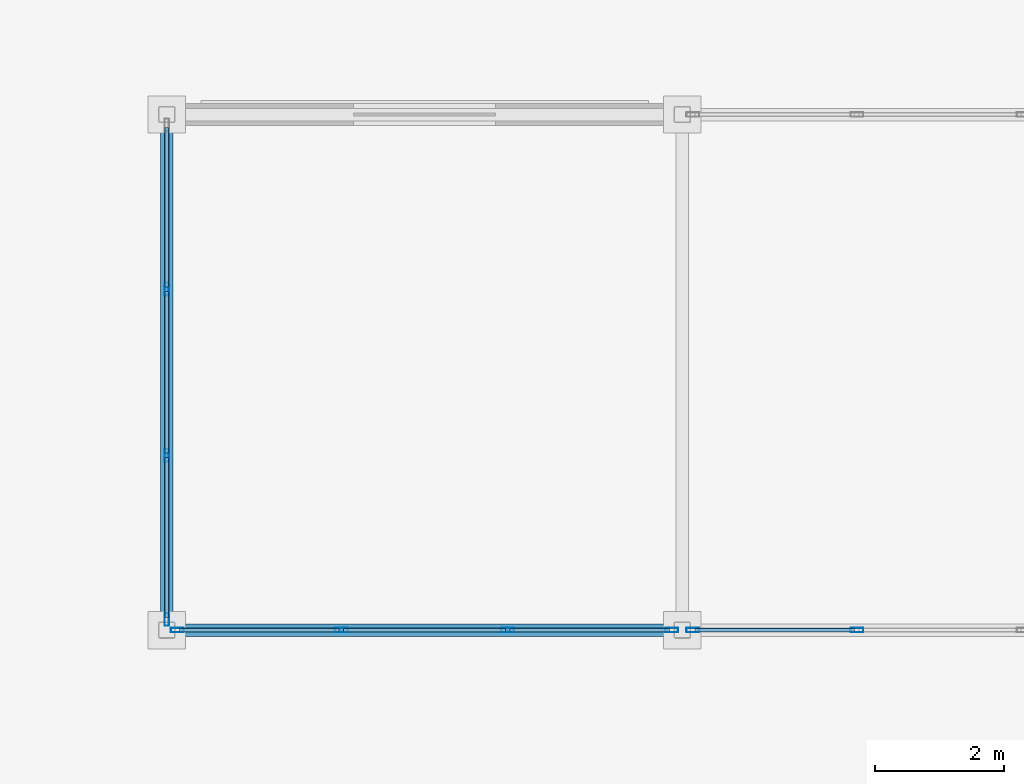
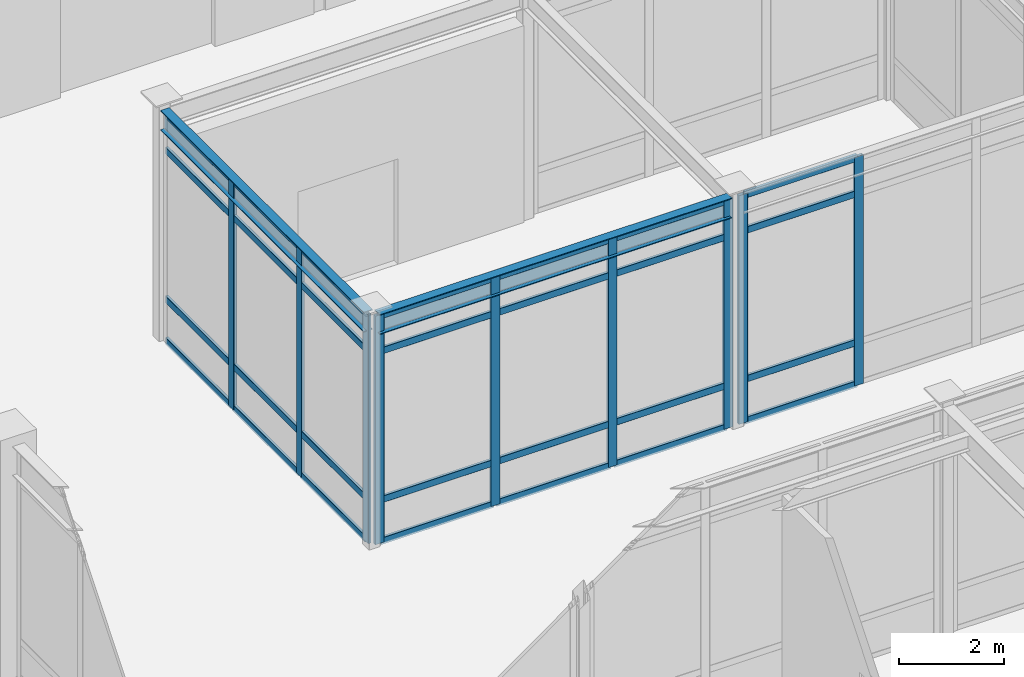
# One storey, part 56 of 128: 37 members, 2 beams, 3 elements without a shape of their own.
"""IFC4 building model written with IfcOpenShell, lengths in metres."""

from ifc_helpers import new_model, si_unit, direction, frame, origin, origin_2d, place, context, subcontext, project, spatial, hollow_rectangle, i_section, extrude, material, material_profile, profile_set, type_object, element, aggregate, save


model = new_model("IFC4")

# Units and contexts
model_context = context("Model", 3, precision=1e-05, world=origin(), true_north=direction((0.0, 1.0)))
body_context = subcontext(model_context, "Body", "Model", "MODEL_VIEW")
ifc_project = project(units=[si_unit("LENGTHUNIT", "METRE"), si_unit("AREAUNIT", "SQUARE_METRE"), si_unit("VOLUMEUNIT", "CUBIC_METRE"), si_unit("PLANEANGLEUNIT", "RADIAN"), si_unit("MASSUNIT", "GRAM", prefix="KILO")], contexts=[model_context])

# Site, building, storey
site_placement = place(None, origin())
site = spatial("IfcSite", under=ifc_project, at=site_placement, CompositionType="ELEMENT")
building_placement = place(site_placement, origin())
building = spatial("IfcBuilding", under=site, at=building_placement, Name="Solmirada Galleria", CompositionType="ELEMENT")
storey_placement = place(building_placement, origin())
storey = spatial("IfcBuildingStorey", under=building, at=storey_placement, Name="L00", CompositionType="ELEMENT", Elevation=0.0)

# Beams
ifc_material_1 = material(Name="Steel S355 / ASTM A992 Grade 50", Category="steel")
ifc_material_profile_1 = material_profile(ifc_material_1, i_section(OverallWidth=0.193115234375, OverallDepth=0.466064453125, WebThickness=0.011474609375, FlangeThickness=0.01904296875, FilletRadius=0.013916015625, at=origin_2d()), Name="W18X65")
ifc_profile_set_1 = profile_set([ifc_material_profile_1], Name="Steel S355 / ASTM A992 Grade 50")
beam_type = type_object("IfcBeamType", Name="BM-GIRD-W18C", PredefinedType="BEAM", material=ifc_profile_set_1)
for number, where, z_axis, x_axis, name in (
    (1, (120.126953125, 56.0, 5.139892578125), (1.0, 0.0, 0.0), (0.0, 1.0, 0.0), "Arcade boutique roof girder BE"),
    (2, (120.0, 56.126953125, 5.139892578125), (0.0, 1.0, 0.0), (-1.0, 0.0, 0.0), "Arcade boutique transverse girder BE"),
):
    element("IfcBeam", number, at=place(storey_placement, frame(where, z_axis=z_axis, x_axis=x_axis)), inside=storey, type_object=beam_type, Name=name, PredefinedType="BEAM", context=body_context, shape_type="SweptSolid", body=[
        extrude(i_section(OverallWidth=0.193115234375, OverallDepth=0.466064453125, WebThickness=0.011474609375, FlangeThickness=0.01904296875, FilletRadius=0.013916015625, at=origin_2d()), origin(), (0.0, 0.0, 1.0), 7.74609375),
    ])

# Curtain wall, members
ifc_material_2 = material(Name="Impact-resistant low-E double glazing", Category="glass")
curtain_wall_type = type_object("IfcCurtainWallType", Name="CW-FZ5-L00-B3-L077", PredefinedType="NOTDEFINED", material=ifc_material_2)
curtain_wall_1_placement = place(storey_placement, origin())
curtain_wall_1 = element("IfcCurtainWall", 3, at=curtain_wall_1_placement, inside=storey, type_object=curtain_wall_type, Name="Terrace and arcade storefront CW-L00-038", PredefinedType="NOTDEFINED")
ifc_material_3 = material(Name="Anodised aluminium framing", Category="aluminium")
ifc_material_profile_2 = material_profile(ifc_material_3, hollow_rectangle(XDim=0.070068359375, YDim=0.199951171875, WallThickness=0.004150390625, InnerFilletRadius=0.004150390625, OuterFilletRadius=0.00830078125, at=origin_2d()), Name="ALU-MULL-200X70")
ifc_profile_set_2 = profile_set([ifc_material_profile_2], Name="Anodised aluminium framing")
member_type_1 = type_object("IfcMemberType", Name="CW-MULL-200", PredefinedType="MULLION", material=ifc_profile_set_2)
member_1_placement = place(storey_placement, frame((130.709716796875, 56.0, 0.0), z_axis=(0.0, 0.0, 1.0), x_axis=(0.0, -1.0, 0.0)))
member_1 = element("IfcMember", 4, at=member_1_placement, type_object=member_type_1, Name="CW08 mullion 3", PredefinedType="MULLION", context=body_context, shape_type="SweptSolid", body=[
    extrude(hollow_rectangle(XDim=0.070068359375, YDim=0.199951171875, WallThickness=0.004150390625, InnerFilletRadius=0.004150390625, OuterFilletRadius=0.00830078125, at=origin_2d()), origin(), (0.0, 0.0, 1.0), 5.320068359375),
])
member_2_placement = place(storey_placement, frame((128.1640625, 56.0, 0.0), z_axis=(0.0, 0.0, 1.0), x_axis=(0.0, -1.0, 0.0)))
member_2 = element("IfcMember", 5, at=member_2_placement, type_object=member_type_1, Name="CW08 mullion 4", PredefinedType="MULLION", context=body_context, shape_type="SweptSolid", body=[
    extrude(hollow_rectangle(XDim=0.070068359375, YDim=0.199951171875, WallThickness=0.004150390625, InnerFilletRadius=0.004150390625, OuterFilletRadius=0.00830078125, at=origin_2d()), origin(), (0.0, 0.0, 1.0), 5.320068359375),
])

curtain_wall_2_placement = place(storey_placement, origin())
curtain_wall_2 = element("IfcCurtainWall", 6, at=curtain_wall_2_placement, inside=storey, type_object=curtain_wall_type, Name="Terrace and arcade storefront CW-L00-039", PredefinedType="NOTDEFINED")
member_3_placement = place(storey_placement, frame((127.8359375, 56.0, 0.0), z_axis=(0.0, 0.0, 1.0), x_axis=(0.0, -1.0, 0.0)))
member_3 = element("IfcMember", 7, at=member_3_placement, type_object=member_type_1, Name="CW08 mullion 1", PredefinedType="MULLION", context=body_context, shape_type="SweptSolid", body=[
    extrude(hollow_rectangle(XDim=0.070068359375, YDim=0.199951171875, WallThickness=0.004150390625, InnerFilletRadius=0.004150390625, OuterFilletRadius=0.00830078125, at=origin_2d()), origin(), (0.0, 0.0, 1.0), 5.320068359375),
])
member_4_placement = place(storey_placement, frame((125.290283203125, 56.0, 0.0), z_axis=(0.0, 0.0, 1.0), x_axis=(0.0, -1.0, 0.0)))
member_4 = element("IfcMember", 8, at=member_4_placement, type_object=member_type_1, Name="CW08 mullion 2", PredefinedType="MULLION", context=body_context, shape_type="SweptSolid", body=[
    extrude(hollow_rectangle(XDim=0.070068359375, YDim=0.199951171875, WallThickness=0.004150390625, InnerFilletRadius=0.004150390625, OuterFilletRadius=0.00830078125, at=origin_2d()), origin(), (0.0, 0.0, 1.0), 5.320068359375),
])
member_5_placement = place(storey_placement, frame((122.709716796875, 56.0, 0.0), z_axis=(0.0, 0.0, 1.0), x_axis=(0.0, -1.0, 0.0)))
member_5 = element("IfcMember", 9, at=member_5_placement, type_object=member_type_1, Name="CW08 mullion 3", PredefinedType="MULLION", context=body_context, shape_type="SweptSolid", body=[
    extrude(hollow_rectangle(XDim=0.070068359375, YDim=0.199951171875, WallThickness=0.004150390625, InnerFilletRadius=0.004150390625, OuterFilletRadius=0.00830078125, at=origin_2d()), origin(), (0.0, 0.0, 1.0), 5.320068359375),
])
member_6_placement = place(storey_placement, frame((120.1640625, 56.0, 0.0), z_axis=(0.0, 0.0, 1.0), x_axis=(0.0, -1.0, 0.0)))
member_6 = element("IfcMember", 10, at=member_6_placement, type_object=member_type_1, Name="CW08 mullion 4", PredefinedType="MULLION", context=body_context, shape_type="SweptSolid", body=[
    extrude(hollow_rectangle(XDim=0.070068359375, YDim=0.199951171875, WallThickness=0.004150390625, InnerFilletRadius=0.004150390625, OuterFilletRadius=0.00830078125, at=origin_2d()), origin(), (0.0, 0.0, 1.0), 5.320068359375),
])

curtain_wall_3_placement = place(storey_placement, origin())
curtain_wall_3 = element("IfcCurtainWall", 11, at=curtain_wall_3_placement, inside=storey, type_object=curtain_wall_type, Name="Terrace and arcade storefront CW-L00-040", PredefinedType="NOTDEFINED")
member_7_placement = place(storey_placement, frame((120.0, 56.1640625, 0.0), z_axis=(0.0, 0.0, 1.0), x_axis=(-1.0, 0.0, 0.0)))
member_7 = element("IfcMember", 12, at=member_7_placement, type_object=member_type_1, Name="CW08 mullion 1", PredefinedType="MULLION", context=body_context, shape_type="SweptSolid", body=[
    extrude(hollow_rectangle(XDim=0.070068359375, YDim=0.199951171875, WallThickness=0.004150390625, InnerFilletRadius=0.004150390625, OuterFilletRadius=0.00830078125, at=origin_2d()), origin(), (0.0, 0.0, 1.0), 5.320068359375),
])
member_8_placement = place(storey_placement, frame((120.0, 58.709716796875, 0.0), z_axis=(0.0, 0.0, 1.0), x_axis=(-1.0, 0.0, 0.0)))
member_8 = element("IfcMember", 13, at=member_8_placement, type_object=member_type_1, Name="CW08 mullion 2", PredefinedType="MULLION", context=body_context, shape_type="SweptSolid", body=[
    extrude(hollow_rectangle(XDim=0.070068359375, YDim=0.199951171875, WallThickness=0.004150390625, InnerFilletRadius=0.004150390625, OuterFilletRadius=0.00830078125, at=origin_2d()), origin(), (0.0, 0.0, 1.0), 5.320068359375),
])
member_9_placement = place(storey_placement, frame((120.0, 61.290283203125, 0.0), z_axis=(0.0, 0.0, 1.0), x_axis=(-1.0, 0.0, 0.0)))
member_9 = element("IfcMember", 14, at=member_9_placement, type_object=member_type_1, Name="CW08 mullion 3", PredefinedType="MULLION", context=body_context, shape_type="SweptSolid", body=[
    extrude(hollow_rectangle(XDim=0.070068359375, YDim=0.199951171875, WallThickness=0.004150390625, InnerFilletRadius=0.004150390625, OuterFilletRadius=0.00830078125, at=origin_2d()), origin(), (0.0, 0.0, 1.0), 5.320068359375),
])

# Member
ifc_material_profile_3 = material_profile(ifc_material_3, hollow_rectangle(XDim=0.06494140625, YDim=0.159912109375, WallThickness=0.00390625, InnerFilletRadius=0.00390625, OuterFilletRadius=0.007568359375, at=origin_2d()), Name="ALU-TRAN-160X65")
ifc_profile_set_3 = profile_set([ifc_material_profile_3], Name="Anodised aluminium framing")
member_type_2 = type_object("IfcMemberType", Name="CW-TRAN-160", PredefinedType="USERDEFINED", material=ifc_profile_set_3)
member_10_placement = place(storey_placement, frame((130.674560546875, 56.0, 0.032470703125), z_axis=(-1.0, 0.0, 0.0), x_axis=(0.0, -1.0, 0.0)))
member_10 = element("IfcMember", 15, at=member_10_placement, type_object=member_type_2, Name="CW08 transom 3.1", ObjectType="TRANSOM", PredefinedType="USERDEFINED", context=body_context, shape_type="SweptSolid", body=[
    extrude(hollow_rectangle(XDim=0.06494140625, YDim=0.159912109375, WallThickness=0.00390625, InnerFilletRadius=0.00390625, OuterFilletRadius=0.007568359375, at=origin_2d()), origin(), (0.0, 0.0, 1.0), 2.4755859375),
])

member_11_placement = place(storey_placement, frame((130.674560546875, 56.0, 1.0), z_axis=(-1.0, 0.0, 0.0), x_axis=(0.0, -1.0, 0.0)))
member_11 = element("IfcMember", 16, at=member_11_placement, type_object=member_type_2, Name="CW08 transom 3.2", ObjectType="TRANSOM", PredefinedType="USERDEFINED", context=body_context, shape_type="SweptSolid", body=[
    extrude(hollow_rectangle(XDim=0.06494140625, YDim=0.159912109375, WallThickness=0.00390625, InnerFilletRadius=0.00390625, OuterFilletRadius=0.007568359375, at=origin_2d()), origin(), (0.0, 0.0, 1.0), 2.4755859375),
])

member_12_placement = place(storey_placement, frame((130.674560546875, 56.0, 4.4599609375), z_axis=(-1.0, 0.0, 0.0), x_axis=(0.0, -1.0, 0.0)))
member_12 = element("IfcMember", 17, at=member_12_placement, type_object=member_type_2, Name="CW08 transom 3.3", ObjectType="TRANSOM", PredefinedType="USERDEFINED", context=body_context, shape_type="SweptSolid", body=[
    extrude(hollow_rectangle(XDim=0.06494140625, YDim=0.159912109375, WallThickness=0.00390625, InnerFilletRadius=0.00390625, OuterFilletRadius=0.007568359375, at=origin_2d()), origin(), (0.0, 0.0, 1.0), 2.4755859375),
])

member_13_placement = place(storey_placement, frame((130.674560546875, 56.0, 5.28759765625), z_axis=(-1.0, 0.0, 0.0), x_axis=(0.0, -1.0, 0.0)))
member_13 = element("IfcMember", 18, at=member_13_placement, type_object=member_type_2, Name="CW08 transom 3.4", ObjectType="TRANSOM", PredefinedType="USERDEFINED", context=body_context, shape_type="SweptSolid", body=[
    extrude(hollow_rectangle(XDim=0.06494140625, YDim=0.159912109375, WallThickness=0.00390625, InnerFilletRadius=0.00390625, OuterFilletRadius=0.007568359375, at=origin_2d()), origin(), (0.0, 0.0, 1.0), 2.4755859375),
])

aggregate(curtain_wall_1, [member_1, member_2, member_10, member_11, member_12, member_13])

member_14_placement = place(storey_placement, frame((127.801025390625, 56.0, 0.032470703125), z_axis=(-1.0, 0.0, 0.0), x_axis=(0.0, -1.0, 0.0)))
member_14 = element("IfcMember", 19, at=member_14_placement, type_object=member_type_2, Name="CW08 transom 1.1", ObjectType="TRANSOM", PredefinedType="USERDEFINED", context=body_context, shape_type="SweptSolid", body=[
    extrude(hollow_rectangle(XDim=0.06494140625, YDim=0.159912109375, WallThickness=0.00390625, InnerFilletRadius=0.00390625, OuterFilletRadius=0.007568359375, at=origin_2d()), origin(), (0.0, 0.0, 1.0), 2.4755859375),
])

member_15_placement = place(storey_placement, frame((127.801025390625, 56.0, 1.0), z_axis=(-1.0, 0.0, 0.0), x_axis=(0.0, -1.0, 0.0)))
member_15 = element("IfcMember", 20, at=member_15_placement, type_object=member_type_2, Name="CW08 transom 1.2", ObjectType="TRANSOM", PredefinedType="USERDEFINED", context=body_context, shape_type="SweptSolid", body=[
    extrude(hollow_rectangle(XDim=0.06494140625, YDim=0.159912109375, WallThickness=0.00390625, InnerFilletRadius=0.00390625, OuterFilletRadius=0.007568359375, at=origin_2d()), origin(), (0.0, 0.0, 1.0), 2.4755859375),
])

member_16_placement = place(storey_placement, frame((127.801025390625, 56.0, 4.4599609375), z_axis=(-1.0, 0.0, 0.0), x_axis=(0.0, -1.0, 0.0)))
member_16 = element("IfcMember", 21, at=member_16_placement, type_object=member_type_2, Name="CW08 transom 1.3", ObjectType="TRANSOM", PredefinedType="USERDEFINED", context=body_context, shape_type="SweptSolid", body=[
    extrude(hollow_rectangle(XDim=0.06494140625, YDim=0.159912109375, WallThickness=0.00390625, InnerFilletRadius=0.00390625, OuterFilletRadius=0.007568359375, at=origin_2d()), origin(), (0.0, 0.0, 1.0), 2.4755859375),
])

member_17_placement = place(storey_placement, frame((127.801025390625, 56.0, 5.28759765625), z_axis=(-1.0, 0.0, 0.0), x_axis=(0.0, -1.0, 0.0)))
member_17 = element("IfcMember", 22, at=member_17_placement, type_object=member_type_2, Name="CW08 transom 1.4", ObjectType="TRANSOM", PredefinedType="USERDEFINED", context=body_context, shape_type="SweptSolid", body=[
    extrude(hollow_rectangle(XDim=0.06494140625, YDim=0.159912109375, WallThickness=0.00390625, InnerFilletRadius=0.00390625, OuterFilletRadius=0.007568359375, at=origin_2d()), origin(), (0.0, 0.0, 1.0), 2.4755859375),
])

member_18_placement = place(storey_placement, frame((125.25537109375, 56.0, 0.032470703125), z_axis=(-1.0, 0.0, 0.0), x_axis=(0.0, -1.0, 0.0)))
member_18 = element("IfcMember", 23, at=member_18_placement, type_object=member_type_2, Name="CW08 transom 2.1", ObjectType="TRANSOM", PredefinedType="USERDEFINED", context=body_context, shape_type="SweptSolid", body=[
    extrude(hollow_rectangle(XDim=0.06494140625, YDim=0.159912109375, WallThickness=0.00390625, InnerFilletRadius=0.00390625, OuterFilletRadius=0.007568359375, at=origin_2d()), origin(), (0.0, 0.0, 1.0), 2.5107421875),
])

member_19_placement = place(storey_placement, frame((125.25537109375, 56.0, 1.0), z_axis=(-1.0, 0.0, 0.0), x_axis=(0.0, -1.0, 0.0)))
member_19 = element("IfcMember", 24, at=member_19_placement, type_object=member_type_2, Name="CW08 transom 2.2", ObjectType="TRANSOM", PredefinedType="USERDEFINED", context=body_context, shape_type="SweptSolid", body=[
    extrude(hollow_rectangle(XDim=0.06494140625, YDim=0.159912109375, WallThickness=0.00390625, InnerFilletRadius=0.00390625, OuterFilletRadius=0.007568359375, at=origin_2d()), origin(), (0.0, 0.0, 1.0), 2.5107421875),
])

member_20_placement = place(storey_placement, frame((125.25537109375, 56.0, 4.4599609375), z_axis=(-1.0, 0.0, 0.0), x_axis=(0.0, -1.0, 0.0)))
member_20 = element("IfcMember", 25, at=member_20_placement, type_object=member_type_2, Name="CW08 transom 2.3", ObjectType="TRANSOM", PredefinedType="USERDEFINED", context=body_context, shape_type="SweptSolid", body=[
    extrude(hollow_rectangle(XDim=0.06494140625, YDim=0.159912109375, WallThickness=0.00390625, InnerFilletRadius=0.00390625, OuterFilletRadius=0.007568359375, at=origin_2d()), origin(), (0.0, 0.0, 1.0), 2.5107421875),
])

member_21_placement = place(storey_placement, frame((125.25537109375, 56.0, 5.28759765625), z_axis=(-1.0, 0.0, 0.0), x_axis=(0.0, -1.0, 0.0)))
member_21 = element("IfcMember", 26, at=member_21_placement, type_object=member_type_2, Name="CW08 transom 2.4", ObjectType="TRANSOM", PredefinedType="USERDEFINED", context=body_context, shape_type="SweptSolid", body=[
    extrude(hollow_rectangle(XDim=0.06494140625, YDim=0.159912109375, WallThickness=0.00390625, InnerFilletRadius=0.00390625, OuterFilletRadius=0.007568359375, at=origin_2d()), origin(), (0.0, 0.0, 1.0), 2.5107421875),
])

member_22_placement = place(storey_placement, frame((122.674560546875, 56.0, 0.032470703125), z_axis=(-1.0, 0.0, 0.0), x_axis=(0.0, -1.0, 0.0)))
member_22 = element("IfcMember", 27, at=member_22_placement, type_object=member_type_2, Name="CW08 transom 3.1", ObjectType="TRANSOM", PredefinedType="USERDEFINED", context=body_context, shape_type="SweptSolid", body=[
    extrude(hollow_rectangle(XDim=0.06494140625, YDim=0.159912109375, WallThickness=0.00390625, InnerFilletRadius=0.00390625, OuterFilletRadius=0.007568359375, at=origin_2d()), origin(), (0.0, 0.0, 1.0), 2.4755859375),
])

member_23_placement = place(storey_placement, frame((122.674560546875, 56.0, 1.0), z_axis=(-1.0, 0.0, 0.0), x_axis=(0.0, -1.0, 0.0)))
member_23 = element("IfcMember", 28, at=member_23_placement, type_object=member_type_2, Name="CW08 transom 3.2", ObjectType="TRANSOM", PredefinedType="USERDEFINED", context=body_context, shape_type="SweptSolid", body=[
    extrude(hollow_rectangle(XDim=0.06494140625, YDim=0.159912109375, WallThickness=0.00390625, InnerFilletRadius=0.00390625, OuterFilletRadius=0.007568359375, at=origin_2d()), origin(), (0.0, 0.0, 1.0), 2.4755859375),
])

member_24_placement = place(storey_placement, frame((122.674560546875, 56.0, 4.4599609375), z_axis=(-1.0, 0.0, 0.0), x_axis=(0.0, -1.0, 0.0)))
member_24 = element("IfcMember", 29, at=member_24_placement, type_object=member_type_2, Name="CW08 transom 3.3", ObjectType="TRANSOM", PredefinedType="USERDEFINED", context=body_context, shape_type="SweptSolid", body=[
    extrude(hollow_rectangle(XDim=0.06494140625, YDim=0.159912109375, WallThickness=0.00390625, InnerFilletRadius=0.00390625, OuterFilletRadius=0.007568359375, at=origin_2d()), origin(), (0.0, 0.0, 1.0), 2.4755859375),
])

member_25_placement = place(storey_placement, frame((122.674560546875, 56.0, 5.28759765625), z_axis=(-1.0, 0.0, 0.0), x_axis=(0.0, -1.0, 0.0)))
member_25 = element("IfcMember", 30, at=member_25_placement, type_object=member_type_2, Name="CW08 transom 3.4", ObjectType="TRANSOM", PredefinedType="USERDEFINED", context=body_context, shape_type="SweptSolid", body=[
    extrude(hollow_rectangle(XDim=0.06494140625, YDim=0.159912109375, WallThickness=0.00390625, InnerFilletRadius=0.00390625, OuterFilletRadius=0.007568359375, at=origin_2d()), origin(), (0.0, 0.0, 1.0), 2.4755859375),
])

aggregate(curtain_wall_2, [member_3, member_4, member_5, member_6, member_14, member_15, member_16, member_17, member_18, member_19, member_20, member_21, member_22, member_23, member_24, member_25])

member_26_placement = place(storey_placement, frame((120.0, 56.198974609375, 0.032470703125), z_axis=(0.0, 1.0, 0.0), x_axis=(-1.0, 0.0, 0.0)))
member_26 = element("IfcMember", 31, at=member_26_placement, type_object=member_type_2, Name="CW08 transom 1.1", ObjectType="TRANSOM", PredefinedType="USERDEFINED", context=body_context, shape_type="SweptSolid", body=[
    extrude(hollow_rectangle(XDim=0.06494140625, YDim=0.159912109375, WallThickness=0.00390625, InnerFilletRadius=0.00390625, OuterFilletRadius=0.007568359375, at=origin_2d()), origin(), (0.0, 0.0, 1.0), 2.4755859375),
])

member_27_placement = place(storey_placement, frame((120.0, 56.198974609375, 1.0), z_axis=(0.0, 1.0, 0.0), x_axis=(-1.0, 0.0, 0.0)))
member_27 = element("IfcMember", 32, at=member_27_placement, type_object=member_type_2, Name="CW08 transom 1.2", ObjectType="TRANSOM", PredefinedType="USERDEFINED", context=body_context, shape_type="SweptSolid", body=[
    extrude(hollow_rectangle(XDim=0.06494140625, YDim=0.159912109375, WallThickness=0.00390625, InnerFilletRadius=0.00390625, OuterFilletRadius=0.007568359375, at=origin_2d()), origin(), (0.0, 0.0, 1.0), 2.4755859375),
])

member_28_placement = place(storey_placement, frame((120.0, 56.198974609375, 4.4599609375), z_axis=(0.0, 1.0, 0.0), x_axis=(-1.0, 0.0, 0.0)))
member_28 = element("IfcMember", 33, at=member_28_placement, type_object=member_type_2, Name="CW08 transom 1.3", ObjectType="TRANSOM", PredefinedType="USERDEFINED", context=body_context, shape_type="SweptSolid", body=[
    extrude(hollow_rectangle(XDim=0.06494140625, YDim=0.159912109375, WallThickness=0.00390625, InnerFilletRadius=0.00390625, OuterFilletRadius=0.007568359375, at=origin_2d()), origin(), (0.0, 0.0, 1.0), 2.4755859375),
])

member_29_placement = place(storey_placement, frame((120.0, 56.198974609375, 5.28759765625), z_axis=(0.0, 1.0, 0.0), x_axis=(-1.0, 0.0, 0.0)))
member_29 = element("IfcMember", 34, at=member_29_placement, type_object=member_type_2, Name="CW08 transom 1.4", ObjectType="TRANSOM", PredefinedType="USERDEFINED", context=body_context, shape_type="SweptSolid", body=[
    extrude(hollow_rectangle(XDim=0.06494140625, YDim=0.159912109375, WallThickness=0.00390625, InnerFilletRadius=0.00390625, OuterFilletRadius=0.007568359375, at=origin_2d()), origin(), (0.0, 0.0, 1.0), 2.4755859375),
])

member_30_placement = place(storey_placement, frame((120.0, 58.74462890625, 0.032470703125), z_axis=(0.0, 1.0, 0.0), x_axis=(-1.0, 0.0, 0.0)))
member_30 = element("IfcMember", 35, at=member_30_placement, type_object=member_type_2, Name="CW08 transom 2.1", ObjectType="TRANSOM", PredefinedType="USERDEFINED", context=body_context, shape_type="SweptSolid", body=[
    extrude(hollow_rectangle(XDim=0.06494140625, YDim=0.159912109375, WallThickness=0.00390625, InnerFilletRadius=0.00390625, OuterFilletRadius=0.007568359375, at=origin_2d()), origin(), (0.0, 0.0, 1.0), 2.5107421875),
])

member_31_placement = place(storey_placement, frame((120.0, 58.74462890625, 1.0), z_axis=(0.0, 1.0, 0.0), x_axis=(-1.0, 0.0, 0.0)))
member_31 = element("IfcMember", 36, at=member_31_placement, type_object=member_type_2, Name="CW08 transom 2.2", ObjectType="TRANSOM", PredefinedType="USERDEFINED", context=body_context, shape_type="SweptSolid", body=[
    extrude(hollow_rectangle(XDim=0.06494140625, YDim=0.159912109375, WallThickness=0.00390625, InnerFilletRadius=0.00390625, OuterFilletRadius=0.007568359375, at=origin_2d()), origin(), (0.0, 0.0, 1.0), 2.5107421875),
])

member_32_placement = place(storey_placement, frame((120.0, 58.74462890625, 4.4599609375), z_axis=(0.0, 1.0, 0.0), x_axis=(-1.0, 0.0, 0.0)))
member_32 = element("IfcMember", 37, at=member_32_placement, type_object=member_type_2, Name="CW08 transom 2.3", ObjectType="TRANSOM", PredefinedType="USERDEFINED", context=body_context, shape_type="SweptSolid", body=[
    extrude(hollow_rectangle(XDim=0.06494140625, YDim=0.159912109375, WallThickness=0.00390625, InnerFilletRadius=0.00390625, OuterFilletRadius=0.007568359375, at=origin_2d()), origin(), (0.0, 0.0, 1.0), 2.5107421875),
])

member_33_placement = place(storey_placement, frame((120.0, 58.74462890625, 5.28759765625), z_axis=(0.0, 1.0, 0.0), x_axis=(-1.0, 0.0, 0.0)))
member_33 = element("IfcMember", 38, at=member_33_placement, type_object=member_type_2, Name="CW08 transom 2.4", ObjectType="TRANSOM", PredefinedType="USERDEFINED", context=body_context, shape_type="SweptSolid", body=[
    extrude(hollow_rectangle(XDim=0.06494140625, YDim=0.159912109375, WallThickness=0.00390625, InnerFilletRadius=0.00390625, OuterFilletRadius=0.007568359375, at=origin_2d()), origin(), (0.0, 0.0, 1.0), 2.5107421875),
])

member_34_placement = place(storey_placement, frame((120.0, 61.325439453125, 0.032470703125), z_axis=(0.0, 1.0, 0.0), x_axis=(-1.0, 0.0, 0.0)))
member_34 = element("IfcMember", 39, at=member_34_placement, type_object=member_type_2, Name="CW08 transom 3.1", ObjectType="TRANSOM", PredefinedType="USERDEFINED", context=body_context, shape_type="SweptSolid", body=[
    extrude(hollow_rectangle(XDim=0.06494140625, YDim=0.159912109375, WallThickness=0.00390625, InnerFilletRadius=0.00390625, OuterFilletRadius=0.007568359375, at=origin_2d()), origin(), (0.0, 0.0, 1.0), 2.4755859375),
])

member_35_placement = place(storey_placement, frame((120.0, 61.325439453125, 1.0), z_axis=(0.0, 1.0, 0.0), x_axis=(-1.0, 0.0, 0.0)))
member_35 = element("IfcMember", 40, at=member_35_placement, type_object=member_type_2, Name="CW08 transom 3.2", ObjectType="TRANSOM", PredefinedType="USERDEFINED", context=body_context, shape_type="SweptSolid", body=[
    extrude(hollow_rectangle(XDim=0.06494140625, YDim=0.159912109375, WallThickness=0.00390625, InnerFilletRadius=0.00390625, OuterFilletRadius=0.007568359375, at=origin_2d()), origin(), (0.0, 0.0, 1.0), 2.4755859375),
])

member_36_placement = place(storey_placement, frame((120.0, 61.325439453125, 4.4599609375), z_axis=(0.0, 1.0, 0.0), x_axis=(-1.0, 0.0, 0.0)))
member_36 = element("IfcMember", 41, at=member_36_placement, type_object=member_type_2, Name="CW08 transom 3.3", ObjectType="TRANSOM", PredefinedType="USERDEFINED", context=body_context, shape_type="SweptSolid", body=[
    extrude(hollow_rectangle(XDim=0.06494140625, YDim=0.159912109375, WallThickness=0.00390625, InnerFilletRadius=0.00390625, OuterFilletRadius=0.007568359375, at=origin_2d()), origin(), (0.0, 0.0, 1.0), 2.4755859375),
])

member_37_placement = place(storey_placement, frame((120.0, 61.325439453125, 5.28759765625), z_axis=(0.0, 1.0, 0.0), x_axis=(-1.0, 0.0, 0.0)))
member_37 = element("IfcMember", 42, at=member_37_placement, type_object=member_type_2, Name="CW08 transom 3.4", ObjectType="TRANSOM", PredefinedType="USERDEFINED", context=body_context, shape_type="SweptSolid", body=[
    extrude(hollow_rectangle(XDim=0.06494140625, YDim=0.159912109375, WallThickness=0.00390625, InnerFilletRadius=0.00390625, OuterFilletRadius=0.007568359375, at=origin_2d()), origin(), (0.0, 0.0, 1.0), 2.4755859375),
])

aggregate(curtain_wall_3, [member_7, member_8, member_9, member_26, member_27, member_28, member_29, member_30, member_31, member_32, member_33, member_34, member_35, member_36, member_37])

save(model, "model.ifc")
